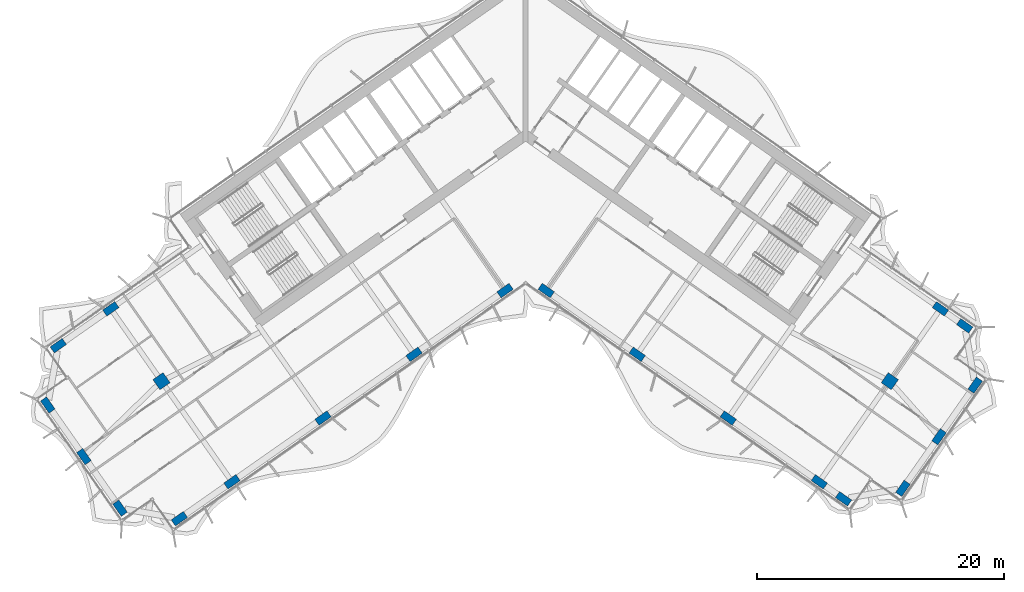
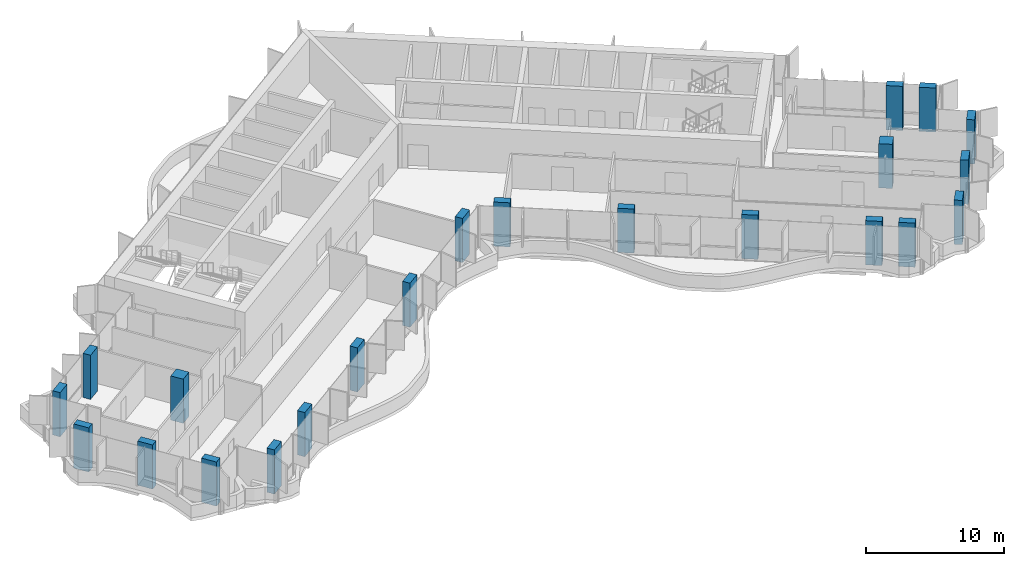
# One storey, part 1 of 21: 22 columns.
"""IFC4 building model written with IfcOpenShell, lengths in metres."""

import ifcopenshell
import ifcopenshell.guid

model = None  # the IFC model being written
_history = None  # IfcOwnerHistory: only IFC2X3 demands one
_inside = {}  # id of a spatial element -> (the spatial element, [elements in it])
_under = {}  # id of a project, library or spatial element -> (it, [spatial elements below it])
_declared = {}  # id of a project -> (the project, [libraries it declares])
_typed = {}  # id of a type object -> (the type object, [elements of that type])
_made_of = {}  # id of a material, layer set ... -> (it, [elements and type objects made of it])


def new_model(schema):
    """Start an empty IFC model of exactly this schema.

    Asked for "IFC4X3", IfcOpenShell would pick the latest addendum, in which some entities
    have other attributes; the version numbers below select the first issue.
    IFC2X3 requires an IfcOwnerHistory on every rooted entity: one is made here for all.
    """
    global model, _history
    if schema == "IFC4X3":
        model = ifcopenshell.file(schema_version=(4, 3, 0, 0))
    else:
        model = ifcopenshell.file(schema=schema)
    _inside.clear()
    _under.clear()
    _declared.clear()
    _typed.clear()
    _made_of.clear()
    _history = None
    if model.schema == "IFC2X3":
        org = make("IfcOrganization", Name="unknown")
        user = make(
            "IfcPersonAndOrganization",
            ThePerson=make("IfcPerson", FamilyName="unknown"),
            TheOrganization=org,
        )
        app = make(
            "IfcApplication",
            ApplicationDeveloper=org,
            Version="unknown",
            ApplicationFullName="unknown",
            ApplicationIdentifier="unknown",
        )
        _history = make(
            "IfcOwnerHistory",
            OwningUser=user,
            OwningApplication=app,
            ChangeAction="ADDED",
            CreationDate=0,
        )
    return model


def make(cls, **values):
    """One entity of the class cls with the attributes given. An attribute that is None is left unset."""
    return model.create_entity(
        cls, **{name: value for name, value in values.items() if value is not None}
    )


def rooted(cls, **values):
    """An entity with a GlobalId (a new one), such as an element, a storey or a relation."""
    return make(cls, GlobalId=ifcopenshell.guid.new(), OwnerHistory=_history, **values)


def si_unit(unit_type, name, prefix=None):
    """IfcSIUnit, for example si_unit("LENGTHUNIT", "METRE", prefix="MILLI")."""
    return make("IfcSIUnit", UnitType=unit_type, Prefix=prefix, Name=name)


def assignment(units):
    """IfcUnitAssignment: the units of a project."""
    return None if units is None else make("IfcUnitAssignment", Units=units)


def point(xyz):
    """IfcCartesianPoint."""
    return None if xyz is None else make("IfcCartesianPoint", Coordinates=xyz)


def direction(xyz):
    """IfcDirection."""
    return None if xyz is None else make("IfcDirection", DirectionRatios=xyz)


def frame(location, z_axis=None, x_axis=None):
    """IfcAxis2Placement3D, a coordinate frame: its origin and axes. An axis left out is left unset."""
    return make(
        "IfcAxis2Placement3D",
        Location=point(location),
        Axis=direction(z_axis),
        RefDirection=direction(x_axis),
    )


def frame_2d(location, x_axis=None):
    """IfcAxis2Placement2D, a coordinate frame in the plane: its origin and x axis."""
    return make(
        "IfcAxis2Placement2D", Location=point(location), RefDirection=direction(x_axis)
    )


def origin():
    """The frame at (0, 0, 0) with its axes left unset."""
    return frame((0.0, 0.0, 0.0))


def origin_2d():
    """The frame at (0, 0) in the plane with its x axis left unset."""
    return frame_2d((0.0, 0.0))


def place(relative_to, where):
    """IfcLocalPlacement: puts the frame where relative to a parent placement (None: the world)."""
    return make(
        "IfcLocalPlacement", PlacementRelTo=relative_to, RelativePlacement=where
    )


def context(
    kind, dimensions, precision=None, world=None, true_north=None, identifier=None
):
    """IfcGeometricRepresentationContext, for example the 3D "Model" context."""
    return make(
        "IfcGeometricRepresentationContext",
        ContextIdentifier=identifier,
        ContextType=kind,
        CoordinateSpaceDimension=dimensions,
        Precision=precision,
        WorldCoordinateSystem=world,
        TrueNorth=true_north,
    )


def subcontext(parent, identifier, kind, view, scale=None):
    """IfcGeometricRepresentationSubContext, for example "Body" below "Model"."""
    return make(
        "IfcGeometricRepresentationSubContext",
        ContextIdentifier=identifier,
        ContextType=kind,
        ParentContext=parent,
        TargetScale=scale,
        TargetView=view,
    )


def project(units=None, contexts=None):
    """IfcProject with its units and contexts."""
    return rooted(
        "IfcProject",
        Name="project",
        RepresentationContexts=contexts,
        UnitsInContext=assignment(units),
    )


def spatial(cls, under=None, at=None, **own):
    """A site, building, storey or space (cls), placed at a placement, below another one or the project."""
    s = rooted(cls, ObjectPlacement=at, **own)
    if under is not None:
        _under.setdefault(under.id(), (under, []))[1].append(s)
    return s


def profile(cls, at=None, kind="AREA", **sizes):
    """A parametric profile (cls). Its sizes go by their IFC names, for example OverallWidth=200.0."""
    return make(cls, ProfileType=kind, Position=at, **sizes)


def rectangle(**sizes):
    """IfcRectangleProfileDef."""
    return profile("IfcRectangleProfileDef", **sizes)


def extrude(swept, where, along, depth):
    """IfcExtrudedAreaSolid: the profile swept, set in the frame where, extruded along a direction by depth."""
    return make(
        "IfcExtrudedAreaSolid",
        SweptArea=swept,
        Position=where,
        ExtrudedDirection=direction(along),
        Depth=depth,
    )


def shape(context_of_items, identifier, shape_type, items):
    """IfcShapeRepresentation: the items that make up one representation, for example the "Body"."""
    return make(
        "IfcShapeRepresentation",
        ContextOfItems=context_of_items,
        RepresentationIdentifier=identifier,
        RepresentationType=shape_type,
        Items=items,
    )


def material(Name=None, Category=None):
    """IfcMaterial."""
    return make("IfcMaterial", Name=Name, Category=Category)


def material_profile(
    of_material, cross_section, Name=None, Category=None, Priority=None
):
    """IfcMaterialProfile: a cross section and its material."""
    return make(
        "IfcMaterialProfile",
        Name=Name,
        Material=of_material,
        Profile=cross_section,
        Priority=Priority,
        Category=Category,
    )


def profile_set(profiles, Name=None, composite=None):
    """IfcMaterialProfileSet."""
    return make(
        "IfcMaterialProfileSet",
        Name=Name,
        MaterialProfiles=profiles,
        CompositeProfile=composite,
    )


def made_of(thing, what):
    """Note that an element or type object is made of a material, layer set ...; save() writes the relation."""
    if what is not None:
        _made_of.setdefault(what.id(), (what, []))[1].append(thing)
    return thing


def type_object(cls, material=None, **own):
    """A type object (cls), such as IfcWallType, which elements share."""
    return made_of(rooted(cls, **own), material)


def element(
    cls,
    number,
    at=None,
    inside=None,
    cuts=None,
    type_object=None,
    material=None,
    context=None,
    identifier="Body",
    shape_type=None,
    held_by="IfcProductDefinitionShape",
    body=None,
    shapes=None,
    **own,
):
    """One element of the class cls, such as IfcWall. Its Tag is "e" and its number.

    at: its placement. inside: the storey or other place that contains it. cuts: it is an
    opening in that element (IfcRelVoidsElement). A single representation is given by context,
    identifier, shape_type and body (its items); several are given by shapes. held_by: the class
    of the entity that holds the representations. save() writes the other relations.
    """
    e = rooted(cls, Tag="e%d" % number, ObjectPlacement=at, **own)
    if body is not None:
        shapes = [shape(context, identifier, shape_type, body)]
    if shapes is not None:
        e.Representation = make(held_by, Representations=shapes)
    if inside is not None:
        _inside.setdefault(inside.id(), (inside, []))[1].append(e)
    if cuts is not None:
        rooted(
            "IfcRelVoidsElement", RelatingBuildingElement=cuts, RelatedOpeningElement=e
        )
    if type_object is not None:
        _typed.setdefault(type_object.id(), (type_object, []))[1].append(e)
    return made_of(e, material)


def aggregate(whole, parts):
    """IfcRelAggregates: a whole, such as a stair, and the parts it consists of."""
    return rooted("IfcRelAggregates", RelatingObject=whole, RelatedObjects=parts)


def save(model, path):
    """Write the relations noted so far, then the file.

    IfcRelAggregates (storeys below a building ...), IfcRelContainedInSpatialStructure (elements
    in a storey), IfcRelDefinesByType, IfcRelAssociatesMaterial and IfcRelDeclares: one each for
    every whole, place, type object, material and project.
    """
    for whole, parts in _under.values():
        aggregate(whole, parts)
    for where, things in _inside.values():
        rooted(
            "IfcRelContainedInSpatialStructure",
            RelatedElements=things,
            RelatingStructure=where,
        )
    for kind, things in _typed.values():
        rooted("IfcRelDefinesByType", RelatedObjects=things, RelatingType=kind)
    for what, things in _made_of.values():
        rooted("IfcRelAssociatesMaterial", RelatedObjects=things, RelatingMaterial=what)
    for by, libraries in _declared.values():
        rooted("IfcRelDeclares", RelatingContext=by, RelatedDefinitions=libraries)
    model.write(path)


model = new_model("IFC4")

# Units and contexts
model_context = context("Model", 3, precision=1e-05, world=origin(), true_north=direction((0.0, 1.0)))
body_context = subcontext(model_context, "Body", "Model", "MODEL_VIEW")
ifc_project = project(units=[si_unit("LENGTHUNIT", "METRE"), si_unit("AREAUNIT", "SQUARE_METRE"), si_unit("VOLUMEUNIT", "CUBIC_METRE"), si_unit("PLANEANGLEUNIT", "RADIAN"), si_unit("MASSUNIT", "GRAM", prefix="KILO")], contexts=[model_context])

# Site, building, storey
site_placement = place(None, origin())
site = spatial("IfcSite", under=ifc_project, at=site_placement, CompositionType="ELEMENT")
building_placement = place(site_placement, origin())
building = spatial("IfcBuilding", under=site, at=building_placement, Name="Tel Ilan Convention Tower", CompositionType="ELEMENT")
storey_placement = place(building_placement, frame((0.0, 0.0, 159.300048828125)))
storey = spatial("IfcBuildingStorey", under=building, at=storey_placement, Name="L36", CompositionType="ELEMENT", Elevation=159.300048828125)

# Columns
ifc_material_1 = material(Name="Concrete C50/60", Category="concrete")
ifc_material_profile_1 = material_profile(ifc_material_1, rectangle(XDim=1.0, YDim=1.0, at=origin_2d()), Name="RC 1000x1000")
ifc_profile_set_1 = profile_set([ifc_material_profile_1], Name="Concrete C50/60")
column_type_1 = type_object("IfcColumnType", Name="Column RC 1000x1000 C50/60", PredefinedType="COLUMN", material=ifc_profile_set_1)
for number, where, z_axis, x_axis, name in (
    (1, (-29.489501953125, -20.648681640625, 0.0), (0.0, 0.0, 1.0), (-0.819152044289, -0.573576436351, 0.0), "L36 column W-M4"),
    (2, (29.489501953125, -20.648681640625, 0.0), (0.0, 0.0, 1.0), (0.819152044289, -0.573576436351, 0.0), "L36 column E-M4"),
):
    element("IfcColumn", number, at=place(storey_placement, frame(where, z_axis=z_axis, x_axis=x_axis)), inside=storey, type_object=column_type_1, Name=name, PredefinedType="COLUMN", context=body_context, shape_type="SweptSolid", body=[
        extrude(rectangle(XDim=1.0, YDim=1.0, at=origin_2d()), origin(), (0.0, 0.0, 1.0), 3.89990234375),
    ])
ifc_material_2 = material(Name="Concrete C50/60", Category="concrete")
ifc_material_profile_2 = material_profile(ifc_material_2, rectangle(XDim=1.199951171875, YDim=0.60009765625, at=origin_2d()), Name="RC 600x1200")
ifc_profile_set_2 = profile_set([ifc_material_profile_2], Name="Concrete C50/60")
column_type_2 = type_object("IfcColumnType", Name="Column RC 600x1200 C50/60", PredefinedType="COLUMN", material=ifc_profile_set_2)
for number, where, z_axis, x_axis, name in (
    (3, (-1.665283203125, -13.312744140625, 0.0), (0.0, 0.0, 1.0), (-0.819152044289, -0.573576436351, 0.0), "L36 column W-F1"),
    (4, (-9.03759765625, -18.474853515625, 0.0), (0.0, 0.0, 1.0), (-0.819152044289, -0.573576436351, 0.0), "L36 column W-F2"),
    (5, (-16.409912109375, -23.63720703125, 0.0), (0.0, 0.0, 1.0), (-0.819152044289, -0.573576436351, 0.0), "L36 column W-F3"),
    (6, (-23.782470703125, -28.79931640625, 0.0), (0.0, 0.0, 1.0), (-0.819152044289, -0.573576436351, 0.0), "L36 column W-F4"),
    (7, (-28.0419921875, -31.781982421875, 0.0), (0.0, 0.0, 1.0), (-0.819152044289, -0.573576436351, 0.0), "L36 column W-FC"),
    (8, (-33.590576171875, -14.791748046875, 0.0), (0.0, 0.0, 1.0), (-0.819152044289, -0.573576436351, 0.0), "L36 column W-B4"),
    (9, (-37.85009765625, -17.7744140625, 0.0), (0.0, 0.0, 1.0), (-0.819152044289, -0.573576436351, 0.0), "L36 column W-BC"),
    (10, (-32.846923828125, -30.934814453125, 0.0), (0.0, 0.0, 1.0), (-0.573576436351, 0.819152044289, 0.0), "L36 column W-E1"),
    (11, (-35.772216796875, -26.757080078125, 0.0), (0.0, 0.0, 1.0), (-0.573576436351, 0.819152044289, 0.0), "L36 column W-E2"),
    (12, (-38.697509765625, -22.579345703125, 0.0), (0.0, 0.0, 1.0), (-0.573576436351, 0.819152044289, 0.0), "L36 column W-E3"),
    (13, (1.665283203125, -13.312744140625, 0.0), (0.0, 0.0, 1.0), (0.819152044289, -0.573576436351, 0.0), "L36 column E-F1"),
    (14, (9.03759765625, -18.474853515625, 0.0), (0.0, 0.0, 1.0), (0.819152044289, -0.573576436351, 0.0), "L36 column E-F2"),
    (15, (16.409912109375, -23.63720703125, 0.0), (0.0, 0.0, 1.0), (0.819152044289, -0.573576436351, 0.0), "L36 column E-F3"),
    (16, (23.782470703125, -28.79931640625, 0.0), (0.0, 0.0, 1.0), (0.819152044289, -0.573576436351, 0.0), "L36 column E-F4"),
    (17, (25.748291015625, -30.17578125, 0.0), (0.0, 0.0, 1.0), (0.819152044289, -0.573576436351, 0.0), "L36 column E-FC"),
    (18, (33.590576171875, -14.791748046875, 0.0), (0.0, 0.0, 1.0), (0.819152044289, -0.573576436351, 0.0), "L36 column E-B4"),
    (19, (35.556396484375, -16.16845703125, 0.0), (0.0, 0.0, 1.0), (0.819152044289, -0.573576436351, 0.0), "L36 column E-BC"),
    (20, (30.55322265625, -29.32861328125, 0.0), (0.0, 0.0, 1.0), (0.573576436351, 0.819152044289, 0.0), "L36 column E-E1"),
    (21, (33.478515625, -25.15087890625, 0.0), (0.0, 0.0, 1.0), (0.573576436351, 0.819152044289, 0.0), "L36 column E-E2"),
    (22, (36.40380859375, -20.973388671875, 0.0), (0.0, 0.0, 1.0), (0.573576436351, 0.819152044289, 0.0), "L36 column E-E3"),
):
    element("IfcColumn", number, at=place(storey_placement, frame(where, z_axis=z_axis, x_axis=x_axis)), inside=storey, type_object=column_type_2, Name=name, PredefinedType="COLUMN", context=body_context, shape_type="SweptSolid", body=[
        extrude(rectangle(XDim=1.199951171875, YDim=0.60009765625, at=origin_2d()), origin(), (0.0, 0.0, 1.0), 3.89990234375),
    ])

save(model, "model.ifc")
